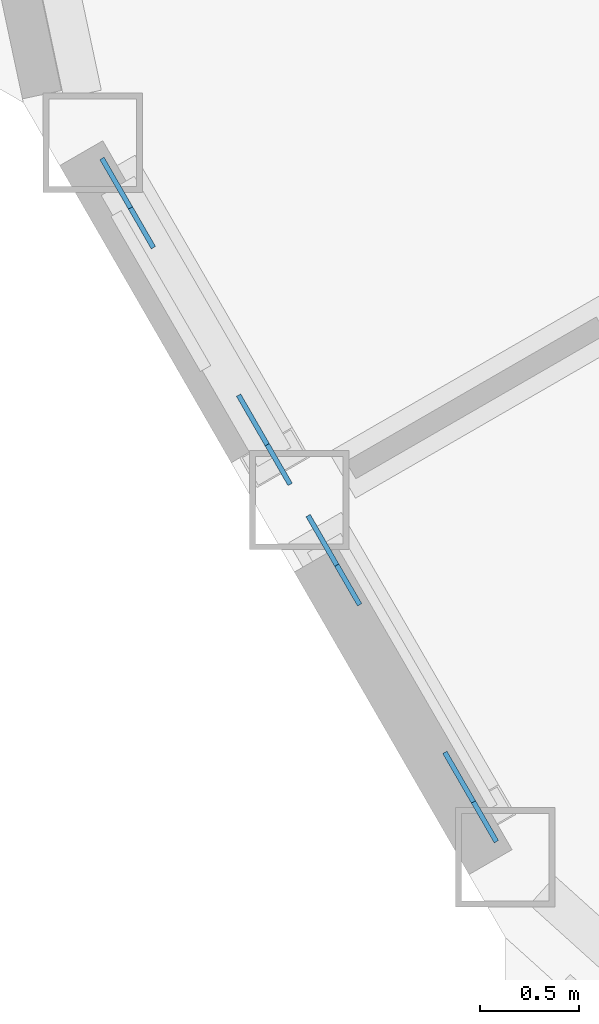
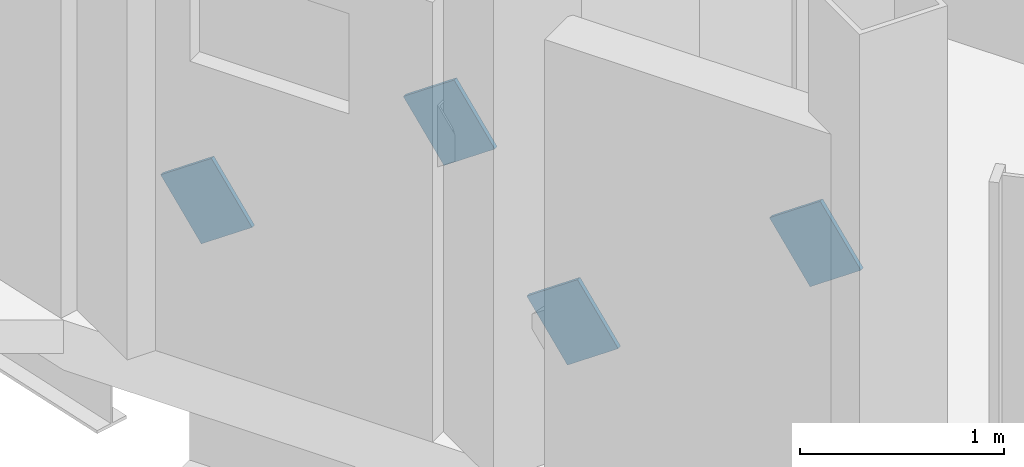
# One storey, part 19 of 26: 4 discrete accessories.
"""IFC4 building model written with IfcOpenShell, lengths in metres."""

from ifc_helpers import new_model, si_unit, direction, frame, origin, origin_2d, place, context, subcontext, project, spatial, rectangle, extrude, material, material_profile, profile_set, type_object, element, save


model = new_model("IFC4")

# Units and contexts
model_context = context("Model", 3, precision=1e-05, world=origin(), true_north=direction((0.0, 1.0)))
body_context = subcontext(model_context, "Body", "Model", "MODEL_VIEW")
ifc_project = project(units=[si_unit("LENGTHUNIT", "METRE"), si_unit("AREAUNIT", "SQUARE_METRE"), si_unit("VOLUMEUNIT", "CUBIC_METRE"), si_unit("PLANEANGLEUNIT", "RADIAN"), si_unit("MASSUNIT", "GRAM", prefix="KILO")], contexts=[model_context])

# Site, building, storey
site_placement = place(None, origin())
site = spatial("IfcSite", under=ifc_project, at=site_placement, CompositionType="ELEMENT")
building_placement = place(site_placement, origin())
building = spatial("IfcBuilding", under=site, at=building_placement, Name="Cormorant Prow Tower", CompositionType="ELEMENT")
storey_placement = place(building_placement, frame((0.0, 0.0, 388.199951171875)))
storey = spatial("IfcBuildingStorey", under=building, at=storey_placement, Name="L88", CompositionType="ELEMENT", Elevation=388.199951171875)

# Discrete accessories
ifc_material = material(Name="Structural steel ASTM A500 Gr C", Category="steel")
ifc_material_profile = material_profile(ifc_material, rectangle(XDim=0.02490234375, YDim=0.405029296875, at=origin_2d()), Name="Gusset plate 25x405")
ifc_profile_set = profile_set([ifc_material_profile], Name="Structural steel ASTM A500 Gr C")
discrete_accessory_type = type_object("IfcDiscreteAccessoryType", Name="Gusset plate 25x405", PredefinedType="BRACKET", material=ifc_profile_set)
discrete_accessory_1_placement = place(storey_placement, frame((-27.8271484375, -14.2412109375, 0.941162109375), z_axis=(-0.411016012482, 0.712474276306, -0.568723344945), x_axis=(-0.866199709737, -0.499697971631, 0.0)))
element("IfcDiscreteAccessory", 1, at=discrete_accessory_1_placement, inside=storey, type_object=discrete_accessory_type, Name="Gusset plate GP3 L88.WSW00.g0", PredefinedType="BRACKET", context=body_context, shape_type="SweptSolid", body=[
    extrude(rectangle(XDim=0.02490234375, YDim=0.405029296875, at=origin_2d()), origin(), (0.0, 0.0, 1.0), 0.349853515625),
])
discrete_accessory_2_placement = place(storey_placement, frame((-27.28369140625, -15.182373046875, 1.692626953125), z_axis=(0.411432439557, -0.711987323368, 0.5690319842), x_axis=(0.865832418869, 0.500334110806, 0.0)))
element("IfcDiscreteAccessory", 2, at=discrete_accessory_2_placement, inside=storey, type_object=discrete_accessory_type, Name="Gusset plate GP3 L88.WSW00.g1", PredefinedType="BRACKET", context=body_context, shape_type="SweptSolid", body=[
    extrude(rectangle(XDim=0.02490234375, YDim=0.405029296875, at=origin_2d()), origin(), (0.0, 0.0, 1.0), 0.35009765625),
])
discrete_accessory_3_placement = place(storey_placement, frame((-26.7900390625, -16.037109375, 0.941162109375), z_axis=(-0.411595697368, 0.712269842394, -0.568560158228), x_axis=(-0.865832418869, -0.500334110806, 0.0)))
element("IfcDiscreteAccessory", 3, at=discrete_accessory_3_placement, inside=storey, type_object=discrete_accessory_type, Name="Gusset plate GP3 L88.WSW01.g0", PredefinedType="BRACKET", context=body_context, shape_type="SweptSolid", body=[
    extrude(rectangle(XDim=0.02490234375, YDim=0.405029296875, at=origin_2d()), origin(), (0.0, 0.0, 1.0), 0.349853515625),
])
discrete_accessory_4_placement = place(storey_placement, frame((-26.246826171875, -16.978271484375, 1.692626953125), z_axis=(0.411432439557, -0.711987323368, 0.5690319842), x_axis=(0.865832418869, 0.500334110806, 0.0)))
element("IfcDiscreteAccessory", 4, at=discrete_accessory_4_placement, inside=storey, type_object=discrete_accessory_type, Name="Gusset plate GP3 L88.WSW01.g1", PredefinedType="BRACKET", context=body_context, shape_type="SweptSolid", body=[
    extrude(rectangle(XDim=0.02490234375, YDim=0.405029296875, at=origin_2d()), origin(), (0.0, 0.0, 1.0), 0.35009765625),
])

save(model, "model.ifc")
